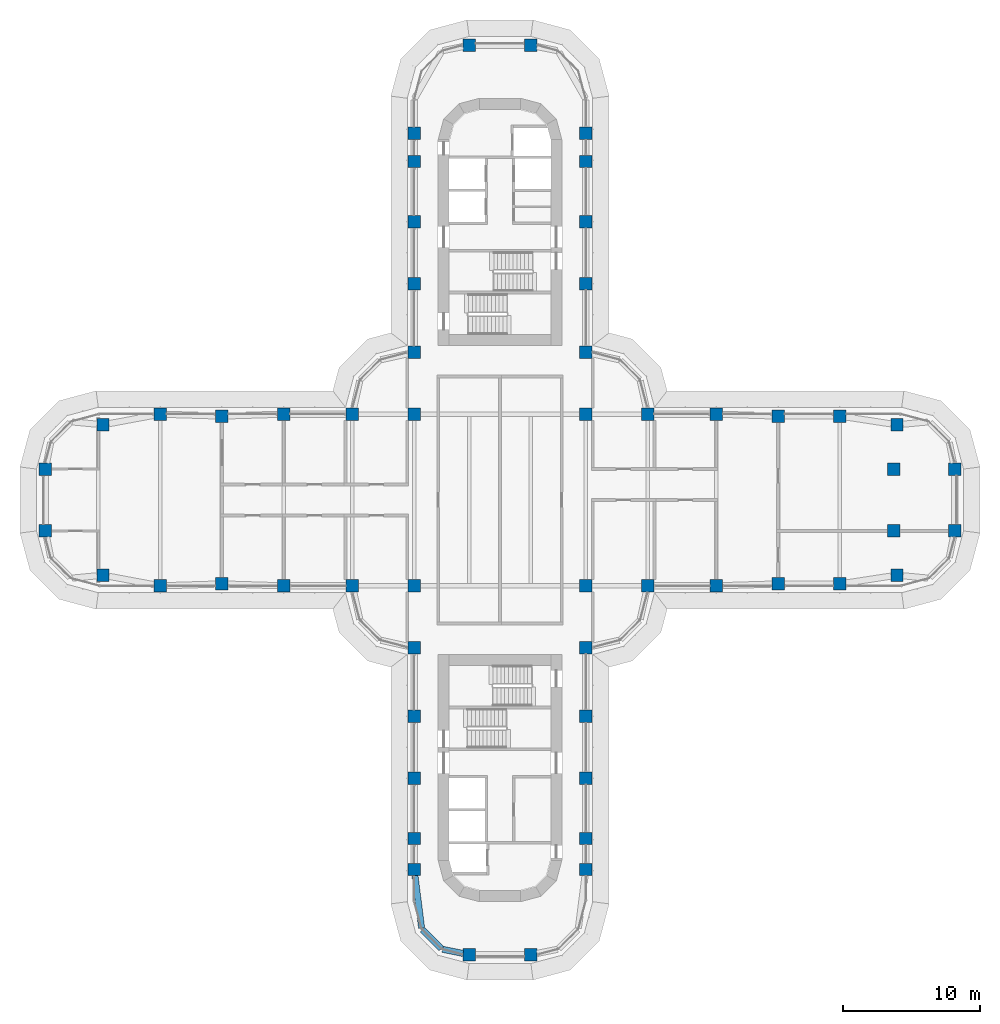
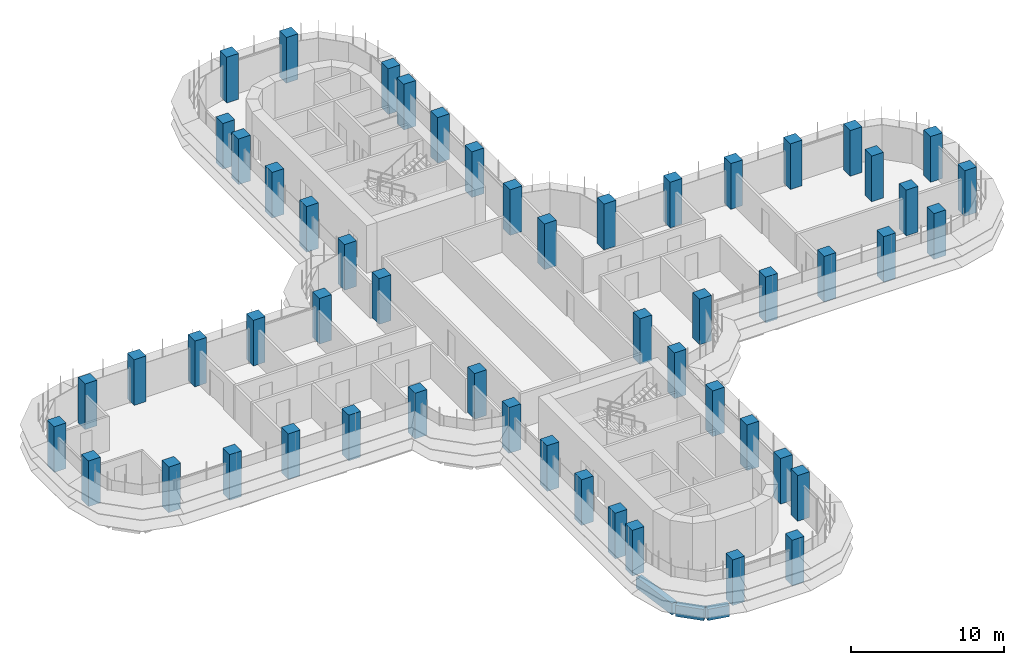
# One storey, part 1 of 23: 54 columns, 3 beams.
"""IFC4 building model written with IfcOpenShell, lengths in metres."""

import ifcopenshell
import ifcopenshell.guid

model = None  # the IFC model being written
_history = None  # IfcOwnerHistory: only IFC2X3 demands one
_inside = {}  # id of a spatial element -> (the spatial element, [elements in it])
_under = {}  # id of a project, library or spatial element -> (it, [spatial elements below it])
_declared = {}  # id of a project -> (the project, [libraries it declares])
_typed = {}  # id of a type object -> (the type object, [elements of that type])
_made_of = {}  # id of a material, layer set ... -> (it, [elements and type objects made of it])


def new_model(schema):
    """Start an empty IFC model of exactly this schema.

    Asked for "IFC4X3", IfcOpenShell would pick the latest addendum, in which some entities
    have other attributes; the version numbers below select the first issue.
    IFC2X3 requires an IfcOwnerHistory on every rooted entity: one is made here for all.
    """
    global model, _history
    if schema == "IFC4X3":
        model = ifcopenshell.file(schema_version=(4, 3, 0, 0))
    else:
        model = ifcopenshell.file(schema=schema)
    _inside.clear()
    _under.clear()
    _declared.clear()
    _typed.clear()
    _made_of.clear()
    _history = None
    if model.schema == "IFC2X3":
        org = make("IfcOrganization", Name="unknown")
        user = make(
            "IfcPersonAndOrganization",
            ThePerson=make("IfcPerson", FamilyName="unknown"),
            TheOrganization=org,
        )
        app = make(
            "IfcApplication",
            ApplicationDeveloper=org,
            Version="unknown",
            ApplicationFullName="unknown",
            ApplicationIdentifier="unknown",
        )
        _history = make(
            "IfcOwnerHistory",
            OwningUser=user,
            OwningApplication=app,
            ChangeAction="ADDED",
            CreationDate=0,
        )
    return model


def make(cls, **values):
    """One entity of the class cls with the attributes given. An attribute that is None is left unset."""
    return model.create_entity(
        cls, **{name: value for name, value in values.items() if value is not None}
    )


def rooted(cls, **values):
    """An entity with a GlobalId (a new one), such as an element, a storey or a relation."""
    return make(cls, GlobalId=ifcopenshell.guid.new(), OwnerHistory=_history, **values)


def si_unit(unit_type, name, prefix=None):
    """IfcSIUnit, for example si_unit("LENGTHUNIT", "METRE", prefix="MILLI")."""
    return make("IfcSIUnit", UnitType=unit_type, Prefix=prefix, Name=name)


def assignment(units):
    """IfcUnitAssignment: the units of a project."""
    return None if units is None else make("IfcUnitAssignment", Units=units)


def point(xyz):
    """IfcCartesianPoint."""
    return None if xyz is None else make("IfcCartesianPoint", Coordinates=xyz)


def direction(xyz):
    """IfcDirection."""
    return None if xyz is None else make("IfcDirection", DirectionRatios=xyz)


def frame(location, z_axis=None, x_axis=None):
    """IfcAxis2Placement3D, a coordinate frame: its origin and axes. An axis left out is left unset."""
    return make(
        "IfcAxis2Placement3D",
        Location=point(location),
        Axis=direction(z_axis),
        RefDirection=direction(x_axis),
    )


def frame_2d(location, x_axis=None):
    """IfcAxis2Placement2D, a coordinate frame in the plane: its origin and x axis."""
    return make(
        "IfcAxis2Placement2D", Location=point(location), RefDirection=direction(x_axis)
    )


def origin():
    """The frame at (0, 0, 0) with its axes left unset."""
    return frame((0.0, 0.0, 0.0))


def origin_2d():
    """The frame at (0, 0) in the plane with its x axis left unset."""
    return frame_2d((0.0, 0.0))


def place(relative_to, where):
    """IfcLocalPlacement: puts the frame where relative to a parent placement (None: the world)."""
    return make(
        "IfcLocalPlacement", PlacementRelTo=relative_to, RelativePlacement=where
    )


def context(
    kind, dimensions, precision=None, world=None, true_north=None, identifier=None
):
    """IfcGeometricRepresentationContext, for example the 3D "Model" context."""
    return make(
        "IfcGeometricRepresentationContext",
        ContextIdentifier=identifier,
        ContextType=kind,
        CoordinateSpaceDimension=dimensions,
        Precision=precision,
        WorldCoordinateSystem=world,
        TrueNorth=true_north,
    )


def subcontext(parent, identifier, kind, view, scale=None):
    """IfcGeometricRepresentationSubContext, for example "Body" below "Model"."""
    return make(
        "IfcGeometricRepresentationSubContext",
        ContextIdentifier=identifier,
        ContextType=kind,
        ParentContext=parent,
        TargetScale=scale,
        TargetView=view,
    )


def project(units=None, contexts=None):
    """IfcProject with its units and contexts."""
    return rooted(
        "IfcProject",
        Name="project",
        RepresentationContexts=contexts,
        UnitsInContext=assignment(units),
    )


def spatial(cls, under=None, at=None, **own):
    """A site, building, storey or space (cls), placed at a placement, below another one or the project."""
    s = rooted(cls, ObjectPlacement=at, **own)
    if under is not None:
        _under.setdefault(under.id(), (under, []))[1].append(s)
    return s


def profile(cls, at=None, kind="AREA", **sizes):
    """A parametric profile (cls). Its sizes go by their IFC names, for example OverallWidth=200.0."""
    return make(cls, ProfileType=kind, Position=at, **sizes)


def rectangle(**sizes):
    """IfcRectangleProfileDef."""
    return profile("IfcRectangleProfileDef", **sizes)


def extrude(swept, where, along, depth):
    """IfcExtrudedAreaSolid: the profile swept, set in the frame where, extruded along a direction by depth."""
    return make(
        "IfcExtrudedAreaSolid",
        SweptArea=swept,
        Position=where,
        ExtrudedDirection=direction(along),
        Depth=depth,
    )


def shape(context_of_items, identifier, shape_type, items):
    """IfcShapeRepresentation: the items that make up one representation, for example the "Body"."""
    return make(
        "IfcShapeRepresentation",
        ContextOfItems=context_of_items,
        RepresentationIdentifier=identifier,
        RepresentationType=shape_type,
        Items=items,
    )


def material(Name=None, Category=None):
    """IfcMaterial."""
    return make("IfcMaterial", Name=Name, Category=Category)


def material_profile(
    of_material, cross_section, Name=None, Category=None, Priority=None
):
    """IfcMaterialProfile: a cross section and its material."""
    return make(
        "IfcMaterialProfile",
        Name=Name,
        Material=of_material,
        Profile=cross_section,
        Priority=Priority,
        Category=Category,
    )


def profile_set(profiles, Name=None, composite=None):
    """IfcMaterialProfileSet."""
    return make(
        "IfcMaterialProfileSet",
        Name=Name,
        MaterialProfiles=profiles,
        CompositeProfile=composite,
    )


def made_of(thing, what):
    """Note that an element or type object is made of a material, layer set ...; save() writes the relation."""
    if what is not None:
        _made_of.setdefault(what.id(), (what, []))[1].append(thing)
    return thing


def type_object(cls, material=None, **own):
    """A type object (cls), such as IfcWallType, which elements share."""
    return made_of(rooted(cls, **own), material)


def element(
    cls,
    number,
    at=None,
    inside=None,
    cuts=None,
    type_object=None,
    material=None,
    context=None,
    identifier="Body",
    shape_type=None,
    held_by="IfcProductDefinitionShape",
    body=None,
    shapes=None,
    **own,
):
    """One element of the class cls, such as IfcWall. Its Tag is "e" and its number.

    at: its placement. inside: the storey or other place that contains it. cuts: it is an
    opening in that element (IfcRelVoidsElement). A single representation is given by context,
    identifier, shape_type and body (its items); several are given by shapes. held_by: the class
    of the entity that holds the representations. save() writes the other relations.
    """
    e = rooted(cls, Tag="e%d" % number, ObjectPlacement=at, **own)
    if body is not None:
        shapes = [shape(context, identifier, shape_type, body)]
    if shapes is not None:
        e.Representation = make(held_by, Representations=shapes)
    if inside is not None:
        _inside.setdefault(inside.id(), (inside, []))[1].append(e)
    if cuts is not None:
        rooted(
            "IfcRelVoidsElement", RelatingBuildingElement=cuts, RelatedOpeningElement=e
        )
    if type_object is not None:
        _typed.setdefault(type_object.id(), (type_object, []))[1].append(e)
    return made_of(e, material)


def aggregate(whole, parts):
    """IfcRelAggregates: a whole, such as a stair, and the parts it consists of."""
    return rooted("IfcRelAggregates", RelatingObject=whole, RelatedObjects=parts)


def save(model, path):
    """Write the relations noted so far, then the file.

    IfcRelAggregates (storeys below a building ...), IfcRelContainedInSpatialStructure (elements
    in a storey), IfcRelDefinesByType, IfcRelAssociatesMaterial and IfcRelDeclares: one each for
    every whole, place, type object, material and project.
    """
    for whole, parts in _under.values():
        aggregate(whole, parts)
    for where, things in _inside.values():
        rooted(
            "IfcRelContainedInSpatialStructure",
            RelatedElements=things,
            RelatingStructure=where,
        )
    for kind, things in _typed.values():
        rooted("IfcRelDefinesByType", RelatedObjects=things, RelatingType=kind)
    for what, things in _made_of.values():
        rooted("IfcRelAssociatesMaterial", RelatedObjects=things, RelatingMaterial=what)
    for by, libraries in _declared.values():
        rooted("IfcRelDeclares", RelatingContext=by, RelatedDefinitions=libraries)
    model.write(path)


model = new_model("IFC4")

# Units and contexts
model_context = context("Model", 3, precision=1e-05, world=origin(), true_north=direction((0.0, 1.0)))
body_context = subcontext(model_context, "Body", "Model", "MODEL_VIEW")
ifc_project = project(units=[si_unit("LENGTHUNIT", "METRE"), si_unit("AREAUNIT", "SQUARE_METRE"), si_unit("VOLUMEUNIT", "CUBIC_METRE"), si_unit("PLANEANGLEUNIT", "RADIAN"), si_unit("MASSUNIT", "GRAM", prefix="KILO")], contexts=[model_context])

# Site, building, storey
site_placement = place(None, origin())
site = spatial("IfcSite", under=ifc_project, at=site_placement, CompositionType="ELEMENT")
building_placement = place(site_placement, origin())
building = spatial("IfcBuilding", under=site, at=building_placement, Name="Zarbagh Exchange Tower", CompositionType="ELEMENT")
storey_placement = place(building_placement, frame((0.0, 0.0, 90.39990234375)))
storey = spatial("IfcBuildingStorey", under=building, at=storey_placement, Name="L20", CompositionType="ELEMENT", Elevation=90.39990234375)

# Columns
ifc_material = material(Name="Concrete C60/75", Category="concrete")
ifc_material_profile_1 = material_profile(ifc_material, rectangle(XDim=0.89990234375, YDim=0.89990234375, at=origin_2d()), Name="RC column 900 x 900 C60/75")
ifc_profile_set_1 = profile_set([ifc_material_profile_1], Name="Concrete C60/75")
column_type = type_object("IfcColumnType", Name="RC column 900 x 900 C60/75", PredefinedType="COLUMN", material=ifc_profile_set_1)
for number, where, z_axis, x_axis, name in (
    (1, (-33.110107421875, -2.25, 0.0), (0.0, 0.0, 1.0), (1.0, 0.0, 0.0), "C3 10/S"),
    (2, (-33.110107421875, 2.25, 0.0), (0.0, 0.0, 1.0), (1.0, 0.0, 0.0), "C3 10/T"),
    (3, (-28.907958984375, -5.47509765625, 0.0), (0.0, 0.0, 1.0), (1.0, 0.0, 0.0), "C3 11/R"),
    (4, (-28.907958984375, 5.47509765625, 0.0), (0.0, 0.0, 1.0), (1.0, 0.0, 0.0), "C3 11/U"),
    (5, (-24.75, -6.25, 0.0), (0.0, 0.0, 1.0), (1.0, 0.0, 0.0), "C3 12/R"),
    (6, (-24.75, 6.25, 0.0), (0.0, 0.0, 1.0), (1.0, 0.0, 0.0), "C3 12/U"),
    (7, (-20.25, -6.110107421875, 0.0), (0.0, 0.0, 1.0), (1.0, 0.0, 0.0), "C3 13/R"),
    (8, (-20.25, 6.110107421875, 0.0), (0.0, 0.0, 1.0), (1.0, 0.0, 0.0), "C3 13/U"),
    (9, (-15.75, -6.25, 0.0), (0.0, 0.0, 1.0), (1.0, 0.0, 0.0), "C3 14/R"),
    (10, (-15.75, 6.25, 0.0), (0.0, 0.0, 1.0), (1.0, 0.0, 0.0), "C3 14/U"),
    (11, (-10.75, -6.25, 0.0), (0.0, 0.0, 1.0), (1.0, 0.0, 0.0), "C3 15/R"),
    (12, (-10.75, 6.25, 0.0), (0.0, 0.0, 1.0), (1.0, 0.0, 0.0), "C3 15/U"),
    (13, (-6.25, -26.89990234375, 0.0), (0.0, 0.0, 1.0), (1.0, 0.0, 0.0), "C3 16/L"),
    (14, (-6.25, -24.64990234375, 0.0), (0.0, 0.0, 1.0), (1.0, 0.0, 0.0), "C3 16/M"),
    (15, (-6.25, -20.25, 0.0), (0.0, 0.0, 1.0), (1.0, 0.0, 0.0), "C3 16/N"),
    (16, (-6.25, -15.75, 0.0), (0.0, 0.0, 1.0), (1.0, 0.0, 0.0), "C3 16/P"),
    (17, (-6.25, -10.75, 0.0), (0.0, 0.0, 1.0), (1.0, 0.0, 0.0), "C3 16/Q"),
    (18, (-6.25, -6.25, 0.0), (0.0, 0.0, 1.0), (1.0, 0.0, 0.0), "C3 16/R"),
    (19, (-6.25, 6.25, 0.0), (0.0, 0.0, 1.0), (1.0, 0.0, 0.0), "C3 16/U"),
    (20, (-6.25, 10.75, 0.0), (0.0, 0.0, 1.0), (1.0, 0.0, 0.0), "C3 16/V"),
    (21, (-6.25, 15.75, 0.0), (0.0, 0.0, 1.0), (1.0, 0.0, 0.0), "C3 16/W"),
    (22, (-6.25, 20.25, 0.0), (0.0, 0.0, 1.0), (1.0, 0.0, 0.0), "C3 16/X"),
    (23, (-6.25, 24.64990234375, 0.0), (0.0, 0.0, 1.0), (1.0, 0.0, 0.0), "C3 16/Y"),
    (24, (-6.25, 26.699951171875, 0.0), (0.0, 0.0, 1.0), (1.0, 0.0, 0.0), "C3 16/Z"),
    (25, (-2.25, -33.110107421875, 0.0), (0.0, 0.0, 1.0), (1.0, 0.0, 0.0), "C3 17/K"),
    (26, (-2.25, 33.110107421875, 0.0), (0.0, 0.0, 1.0), (1.0, 0.0, 0.0), "C3 17/AA"),
    (27, (2.25, -33.110107421875, 0.0), (0.0, 0.0, 1.0), (1.0, 0.0, 0.0), "C3 18/K"),
    (28, (2.25, 33.110107421875, 0.0), (0.0, 0.0, 1.0), (1.0, 0.0, 0.0), "C3 18/AA"),
    (29, (6.25, -26.89990234375, 0.0), (0.0, 0.0, 1.0), (1.0, 0.0, 0.0), "C3 19/L"),
    (30, (6.25, -24.64990234375, 0.0), (0.0, 0.0, 1.0), (1.0, 0.0, 0.0), "C3 19/M"),
    (31, (6.25, -20.25, 0.0), (0.0, 0.0, 1.0), (1.0, 0.0, 0.0), "C3 19/N"),
    (32, (6.25, -15.75, 0.0), (0.0, 0.0, 1.0), (1.0, 0.0, 0.0), "C3 19/P"),
    (33, (6.25, -10.75, 0.0), (0.0, 0.0, 1.0), (1.0, 0.0, 0.0), "C3 19/Q"),
    (34, (6.25, -6.25, 0.0), (0.0, 0.0, 1.0), (1.0, 0.0, 0.0), "C3 19/R"),
    (35, (6.25, 6.25, 0.0), (0.0, 0.0, 1.0), (1.0, 0.0, 0.0), "C3 19/U"),
    (36, (6.25, 10.75, 0.0), (0.0, 0.0, 1.0), (1.0, 0.0, 0.0), "C3 19/V"),
    (37, (6.25, 15.75, 0.0), (0.0, 0.0, 1.0), (1.0, 0.0, 0.0), "C3 19/W"),
    (38, (6.25, 20.25, 0.0), (0.0, 0.0, 1.0), (1.0, 0.0, 0.0), "C3 19/X"),
    (39, (6.25, 24.64990234375, 0.0), (0.0, 0.0, 1.0), (1.0, 0.0, 0.0), "C3 19/Y"),
    (40, (6.25, 26.699951171875, 0.0), (0.0, 0.0, 1.0), (1.0, 0.0, 0.0), "C3 19/Z"),
    (41, (10.75, -6.25, 0.0), (0.0, 0.0, 1.0), (1.0, 0.0, 0.0), "C3 20/R"),
    (42, (10.75, 6.25, 0.0), (0.0, 0.0, 1.0), (1.0, 0.0, 0.0), "C3 20/U"),
    (43, (15.75, -6.25, 0.0), (0.0, 0.0, 1.0), (1.0, 0.0, 0.0), "C3 21/R"),
    (44, (15.75, 6.25, 0.0), (0.0, 0.0, 1.0), (1.0, 0.0, 0.0), "C3 21/U"),
    (45, (20.25, -6.110107421875, 0.0), (0.0, 0.0, 1.0), (1.0, 0.0, 0.0), "C3 22/R"),
    (46, (20.25, 6.110107421875, 0.0), (0.0, 0.0, 1.0), (1.0, 0.0, 0.0), "C3 22/U"),
    (47, (24.75, -6.110107421875, 0.0), (0.0, 0.0, 1.0), (1.0, 0.0, 0.0), "C3 23/R"),
    (48, (24.75, 6.110107421875, 0.0), (0.0, 0.0, 1.0), (1.0, 0.0, 0.0), "C3 23/U"),
    (49, (28.907958984375, -5.47509765625, 0.0), (0.0, 0.0, 1.0), (1.0, 0.0, 0.0), "C3 24/R"),
    (50, (28.669921875, -2.25, 0.0), (0.0, 0.0, 1.0), (1.0, 0.0, 0.0), "C3 24/S"),
    (51, (28.669921875, 2.25, 0.0), (0.0, 0.0, 1.0), (1.0, 0.0, 0.0), "C3 24/T"),
    (52, (28.907958984375, 5.47509765625, 0.0), (0.0, 0.0, 1.0), (1.0, 0.0, 0.0), "C3 24/U"),
    (53, (33.110107421875, -2.25, 0.0), (0.0, 0.0, 1.0), (1.0, 0.0, 0.0), "C3 25/S"),
    (54, (33.110107421875, 2.25, 0.0), (0.0, 0.0, 1.0), (1.0, 0.0, 0.0), "C3 25/T"),
):
    element("IfcColumn", number, at=place(storey_placement, frame(where, z_axis=z_axis, x_axis=x_axis)), inside=storey, type_object=column_type, Name=name, PredefinedType="COLUMN", context=body_context, shape_type="SweptSolid", body=[
        extrude(rectangle(XDim=0.89990234375, YDim=0.89990234375, at=origin_2d()), origin(), (0.0, 0.0, 1.0), 3.650146484375),
    ])

# Beams
ifc_material_profile_2 = material_profile(ifc_material, rectangle(XDim=0.449951171875, YDim=0.89990234375, at=origin_2d()), Name="RC spandrel beam 450 x 900 C60/75")
ifc_profile_set_2 = profile_set([ifc_material_profile_2], Name="Concrete C60/75")
beam_type = type_object("IfcBeamType", Name="RC spandrel beam 450 x 900 C60/75", PredefinedType="SPANDREL", material=ifc_profile_set_2)
beam_1_placement = place(storey_placement, frame((-2.690673828125, -33.01904296875, -0.599853515625), z_axis=(-0.979328675816, 0.202275417995, 0.0), x_axis=(-0.202275417995, -0.979328675816, 0.0)))
element("IfcBeam", 55, at=beam_1_placement, inside=storey, type_object=beam_type, Name="RC spandrel beam", PredefinedType="SPANDREL", context=body_context, shape_type="SweptSolid", body=[
    extrude(rectangle(XDim=0.449951171875, YDim=0.89990234375, at=origin_2d()), origin(), (0.0, 0.0, 1.0), 1.515869140625),
])
beam_2_placement = place(storey_placement, frame((-4.288818359375, -32.651123046875, -0.599853515625), z_axis=(-0.707106781187, 0.707106781187, 0.0), x_axis=(-0.707106781187, -0.707106781187, 0.0)))
element("IfcBeam", 56, at=beam_2_placement, inside=storey, type_object=beam_type, Name="RC spandrel beam", PredefinedType="SPANDREL", context=body_context, shape_type="SweptSolid", body=[
    extrude(rectangle(XDim=0.449951171875, YDim=0.89990234375, at=origin_2d()), origin(), (0.0, 0.0, 1.0), 1.9169921875),
])
beam_3_placement = place(storey_placement, frame((-5.70849609375, -31.164794921875, -0.599853515625), z_axis=(-0.12597055537, 0.992033980859, 0.0), x_axis=(-0.992033980859, -0.12597055537, 0.0)))
element("IfcBeam", 57, at=beam_3_placement, inside=storey, type_object=beam_type, Name="RC spandrel beam", PredefinedType="SPANDREL", context=body_context, shape_type="SweptSolid", body=[
    extrude(rectangle(XDim=0.449951171875, YDim=0.89990234375, at=origin_2d()), origin(), (0.0, 0.0, 1.0), 3.84912109375),
])

save(model, "model.ifc")
